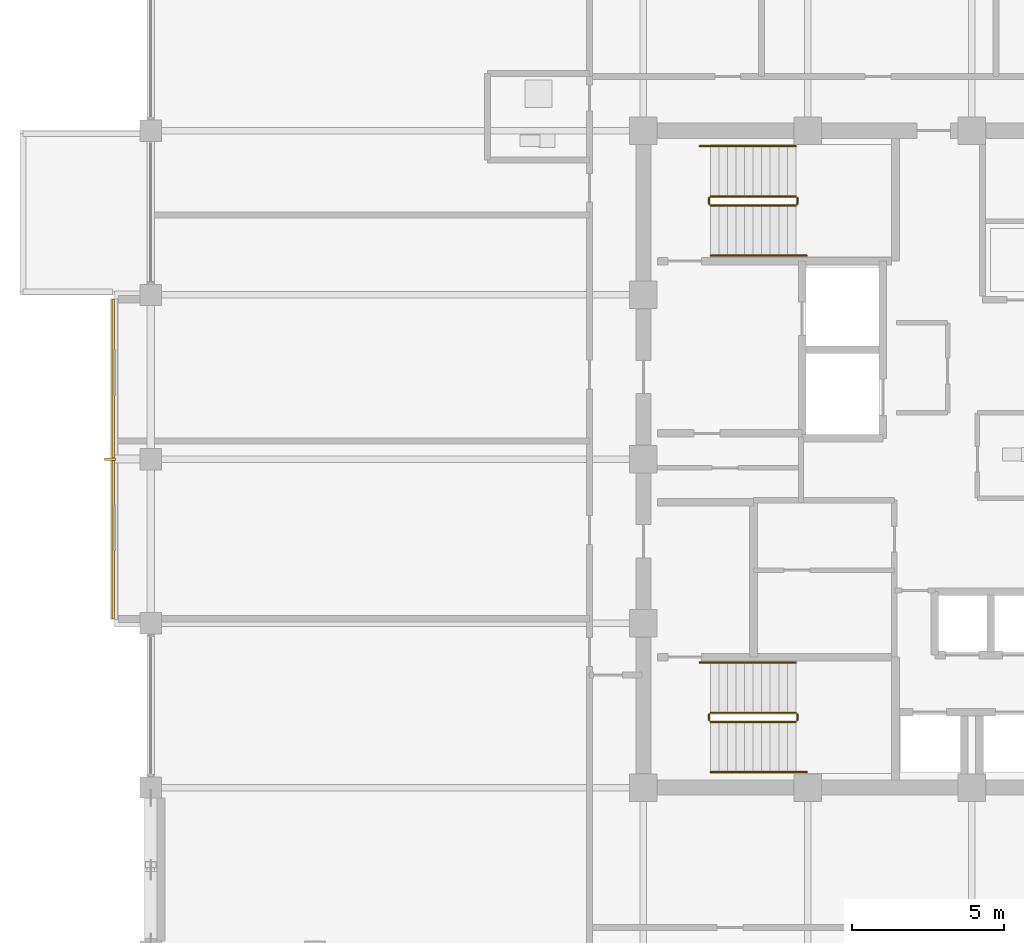
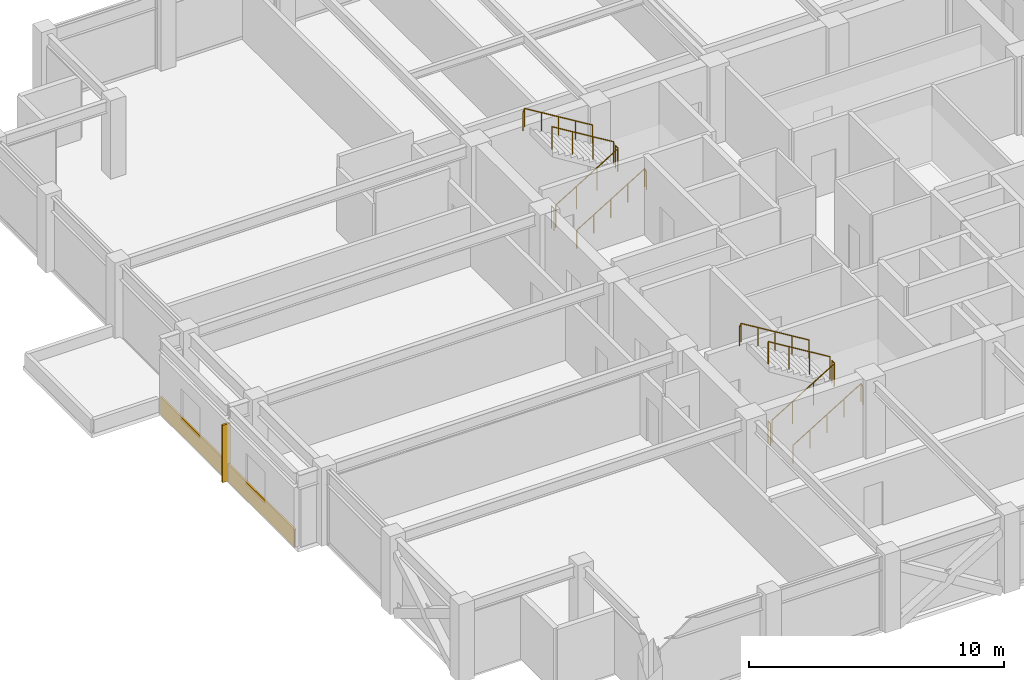
# One storey, part 29 of 31: 12 railings, 1 covering, 1 shading device.
"""IFC4 building model written with IfcOpenShell, lengths in metres."""

from ifc_helpers import new_model, si_unit, direction, frame, origin, origin_2d, place, context, subcontext, project, spatial, rectangle, circle, extrude, material, layer, layer_set, type_object, element, save


model = new_model("IFC4")

# Units and contexts
model_context = context("Model", 3, precision=1e-05, world=origin(), true_north=direction((0.0, 1.0)))
body_context = subcontext(model_context, "Body", "Model", "MODEL_VIEW")
ifc_project = project(units=[si_unit("LENGTHUNIT", "METRE"), si_unit("AREAUNIT", "SQUARE_METRE"), si_unit("VOLUMEUNIT", "CUBIC_METRE"), si_unit("PLANEANGLEUNIT", "RADIAN"), si_unit("MASSUNIT", "GRAM", prefix="KILO")], contexts=[model_context])

# Site, building, storey
site_placement = place(None, origin())
site = spatial("IfcSite", under=ifc_project, at=site_placement, CompositionType="ELEMENT")
building_placement = place(site_placement, origin())
building = spatial("IfcBuilding", under=site, at=building_placement, Name="Surkhivell Harbour Commons", CompositionType="ELEMENT")
storey_placement = place(building_placement, frame((0.0, 0.0, 270.0)))
storey = spatial("IfcBuildingStorey", under=building, at=storey_placement, Name="L70", CompositionType="ELEMENT", Elevation=270.0)

# Covering
ifc_material_1 = material(Name="Saffron-gold enamelled aluminium cassette panel", Category="aluminium")
ifc_layer = layer(ifc_material_1, 0.070068359375)
ifc_layer_set = layer_set([ifc_layer], Name="Saffron-gold enamelled aluminium cassette panel")
covering_type = type_object("IfcCoveringType", Name="COV-CLAD-SAF", PredefinedType="CLADDING", material=ifc_layer_set)
covering_placement = place(storey_placement, frame((-28.239990234375, 0.0, 0.0), z_axis=(0.0, 0.0, 1.0), x_axis=(1.0, 0.0, 0.0)))
element("IfcCovering", 1, at=covering_placement, inside=storey, type_object=covering_type, Name="L70 Coloured-Panel Box Spandrel Cassette 02", PredefinedType="CLADDING", context=body_context, shape_type="SweptSolid", body=[
    extrude(rectangle(XDim=0.080078125, YDim=10.5, at=origin_2d()), origin(), (0.0, 0.0, 1.0), 0.840087890625),
])

# Railings
ifc_material_2 = material(Name="Galvanised and painted steel S355 guard rail", Category="steel")
railing_type_1 = type_object("IfcRailingType", Name="RAL-ST-GRD1100", PredefinedType="GUARDRAIL", material=ifc_material_2)
railing_1_placement = place(storey_placement, frame((-8.590087890625, 8.340087890625, 0.17041015625)))
element("IfcRailing", 2, at=railing_1_placement, inside=storey, type_object=railing_type_1, Name="L70 ST1 stair guard 1", PredefinedType="GUARDRAIL", context=body_context, shape_type="SweptSolid", body=[
    extrude(circle(Radius=0.02392578125, at=origin_2d()), frame((0.0, 0.0, 1.076171875), z_axis=(0.854169791009, 0.0, 0.51999420009), x_axis=(0.0, 1.0, 0.0)), (0.0, 0.0, 1.0), 3.278076171875),
    extrude(circle(Radius=0.02099609375, at=origin_2d()), origin(), (0.0, 0.0, 1.0), 1.052001953125),
    extrude(circle(Radius=0.02099609375, at=origin_2d()), frame((0.933349609375, 0.0, 0.568115234375)), (0.0, 0.0, 1.0), 1.052001953125),
    extrude(circle(Radius=0.02099609375, at=origin_2d()), frame((1.86669921875, 0.0, 1.136474609375)), (0.0, 0.0, 1.0), 1.052001953125),
    extrude(circle(Radius=0.02099609375, at=origin_2d()), frame((2.800048828125, 0.0, 1.70458984375)), (0.0, 0.0, 1.0), 1.052001953125),
])
railing_2_placement = place(storey_placement, frame((-5.739990234375, 8.389892578125, 1.875)))
element("IfcRailing", 3, at=railing_2_placement, inside=storey, type_object=railing_type_1, Name="L70 ST1 stair guard 2", PredefinedType="GUARDRAIL", context=body_context, shape_type="SweptSolid", body=[
    extrude(circle(Radius=0.02392578125, at=origin_2d()), frame((0.0, 0.0, 1.076171875), z_axis=(0.0, 1.0, 0.0), x_axis=(-1.0, 0.0, 0.0)), (0.0, 0.0, 1.0), 0.2001953125),
    extrude(circle(Radius=0.02099609375, at=origin_2d()), origin(), (0.0, 0.0, 1.0), 1.052001953125),
    extrude(circle(Radius=0.02099609375, at=origin_2d()), frame((0.0, 0.2001953125, 0.0)), (0.0, 0.0, 1.0), 1.052001953125),
])
railing_3_placement = place(storey_placement, frame((-5.7900390625, 8.639892578125, 2.04541015625)))
element("IfcRailing", 4, at=railing_3_placement, inside=storey, type_object=railing_type_1, Name="L70 ST1 stair guard 3", PredefinedType="GUARDRAIL", context=body_context, shape_type="SweptSolid", body=[
    extrude(circle(Radius=0.02392578125, at=origin_2d()), frame((0.0, 0.0, 1.076171875), z_axis=(-0.854169791009, 0.0, 0.51999420009), x_axis=(0.0, -1.0, 0.0)), (0.0, 0.0, 1.0), 3.278076171875),
    extrude(circle(Radius=0.02099609375, at=origin_2d()), origin(), (0.0, 0.0, 1.0), 1.052001953125),
    extrude(circle(Radius=0.02099609375, at=origin_2d()), frame((-0.933349609375, 0.0, 0.568115234375)), (0.0, 0.0, 1.0), 1.052001953125),
    extrude(circle(Radius=0.02099609375, at=origin_2d()), frame((-1.86669921875, 0.0, 1.136474609375)), (0.0, 0.0, 1.0), 1.052001953125),
    extrude(circle(Radius=0.02099609375, at=origin_2d()), frame((-2.800048828125, 0.0, 1.70458984375)), (0.0, 0.0, 1.0), 1.052001953125),
])
railing_4_placement = place(storey_placement, frame((-8.639892578125, 8.389892578125, 0.0)))
element("IfcRailing", 5, at=railing_4_placement, inside=storey, type_object=railing_type_1, Name="L70 ST1 stair guard 4", PredefinedType="GUARDRAIL", context=body_context, shape_type="SweptSolid", body=[
    extrude(circle(Radius=0.02392578125, at=origin_2d()), frame((0.0, 0.0, 1.076171875), z_axis=(0.0, 1.0, 0.0), x_axis=(-1.0, 0.0, 0.0)), (0.0, 0.0, 1.0), 0.2001953125),
    extrude(circle(Radius=0.02099609375, at=origin_2d()), origin(), (0.0, 0.0, 1.0), 1.052001953125),
    extrude(circle(Radius=0.02099609375, at=origin_2d()), frame((0.0, 0.2001953125, 0.0)), (0.0, 0.0, 1.0), 1.052001953125),
])
railing_5_placement = place(storey_placement, frame((-8.590087890625, -8.639892578125, 0.17041015625)))
element("IfcRailing", 6, at=railing_5_placement, inside=storey, type_object=railing_type_1, Name="L70 ST3 stair guard 1", PredefinedType="GUARDRAIL", context=body_context, shape_type="SweptSolid", body=[
    extrude(circle(Radius=0.02392578125, at=origin_2d()), frame((0.0, 0.0, 1.076171875), z_axis=(0.854169791009, 0.0, 0.51999420009), x_axis=(0.0, 1.0, 0.0)), (0.0, 0.0, 1.0), 3.278076171875),
    extrude(circle(Radius=0.02099609375, at=origin_2d()), origin(), (0.0, 0.0, 1.0), 1.052001953125),
    extrude(circle(Radius=0.02099609375, at=origin_2d()), frame((0.933349609375, 0.0, 0.568115234375)), (0.0, 0.0, 1.0), 1.052001953125),
    extrude(circle(Radius=0.02099609375, at=origin_2d()), frame((1.86669921875, 0.0, 1.136474609375)), (0.0, 0.0, 1.0), 1.052001953125),
    extrude(circle(Radius=0.02099609375, at=origin_2d()), frame((2.800048828125, 0.0, 1.70458984375)), (0.0, 0.0, 1.0), 1.052001953125),
])
railing_6_placement = place(storey_placement, frame((-5.739990234375, -8.590087890625, 1.875)))
element("IfcRailing", 7, at=railing_6_placement, inside=storey, type_object=railing_type_1, Name="L70 ST3 stair guard 2", PredefinedType="GUARDRAIL", context=body_context, shape_type="SweptSolid", body=[
    extrude(circle(Radius=0.02392578125, at=origin_2d()), frame((0.0, 0.0, 1.076171875), z_axis=(0.0, 1.0, 0.0), x_axis=(-1.0, 0.0, 0.0)), (0.0, 0.0, 1.0), 0.2001953125),
    extrude(circle(Radius=0.02099609375, at=origin_2d()), origin(), (0.0, 0.0, 1.0), 1.052001953125),
    extrude(circle(Radius=0.02099609375, at=origin_2d()), frame((0.0, 0.2001953125, 0.0)), (0.0, 0.0, 1.0), 1.052001953125),
])
railing_7_placement = place(storey_placement, frame((-5.7900390625, -8.340087890625, 2.04541015625)))
element("IfcRailing", 8, at=railing_7_placement, inside=storey, type_object=railing_type_1, Name="L70 ST3 stair guard 3", PredefinedType="GUARDRAIL", context=body_context, shape_type="SweptSolid", body=[
    extrude(circle(Radius=0.02392578125, at=origin_2d()), frame((0.0, 0.0, 1.076171875), z_axis=(-0.854169791009, 0.0, 0.51999420009), x_axis=(0.0, -1.0, 0.0)), (0.0, 0.0, 1.0), 3.278076171875),
    extrude(circle(Radius=0.02099609375, at=origin_2d()), origin(), (0.0, 0.0, 1.0), 1.052001953125),
    extrude(circle(Radius=0.02099609375, at=origin_2d()), frame((-0.933349609375, 0.0, 0.568115234375)), (0.0, 0.0, 1.0), 1.052001953125),
    extrude(circle(Radius=0.02099609375, at=origin_2d()), frame((-1.86669921875, 0.0, 1.136474609375)), (0.0, 0.0, 1.0), 1.052001953125),
    extrude(circle(Radius=0.02099609375, at=origin_2d()), frame((-2.800048828125, 0.0, 1.70458984375)), (0.0, 0.0, 1.0), 1.052001953125),
])
railing_8_placement = place(storey_placement, frame((-8.639892578125, -8.590087890625, 0.0)))
element("IfcRailing", 9, at=railing_8_placement, inside=storey, type_object=railing_type_1, Name="L70 ST3 stair guard 4", PredefinedType="GUARDRAIL", context=body_context, shape_type="SweptSolid", body=[
    extrude(circle(Radius=0.02392578125, at=origin_2d()), frame((0.0, 0.0, 1.076171875), z_axis=(0.0, 1.0, 0.0), x_axis=(-1.0, 0.0, 0.0)), (0.0, 0.0, 1.0), 0.2001953125),
    extrude(circle(Radius=0.02099609375, at=origin_2d()), origin(), (0.0, 0.0, 1.0), 1.052001953125),
    extrude(circle(Radius=0.02099609375, at=origin_2d()), frame((0.0, 0.2001953125, 0.0)), (0.0, 0.0, 1.0), 1.052001953125),
])
ifc_material_3 = material(Name="Brushed stainless steel S355 handrail", Category="steel")
railing_type_2 = type_object("IfcRailingType", Name="RAL-ST-HND900", PredefinedType="HANDRAIL", material=ifc_material_3)
railing_9_placement = place(storey_placement, frame((-8.590087890625, 6.68994140625, 0.17041015625)))
element("IfcRailing", 10, at=railing_9_placement, inside=storey, type_object=railing_type_2, Name="L70 ST1 stair handrail 1", PredefinedType="HANDRAIL", context=body_context, shape_type="SweptSolid", body=[
    extrude(circle(Radius=0.02392578125, at=origin_2d()), frame((0.0, 0.0, 0.8759765625), z_axis=(0.854177636135, 0.0, 0.519981313056), x_axis=(0.0, 1.0, 0.0)), (0.0, 0.0, 1.0), 3.60595703125),
    extrude(circle(Radius=0.02392578125, at=origin_2d()), frame((3.080078125, 0.0, 2.7509765625), z_axis=(0.425297416671, 0.0, -0.905053648892), x_axis=(0.0, 1.0, 0.0)), (0.0, 0.0, 1.0), 0.188232421875),
    extrude(circle(Radius=0.02099609375, at=origin_2d()), origin(), (0.0, 0.0, 1.0), 0.851806640625),
    extrude(circle(Radius=0.02099609375, at=origin_2d()), frame((0.77001953125, 0.0, 0.46875)), (0.0, 0.0, 1.0), 0.851806640625),
    extrude(circle(Radius=0.02099609375, at=origin_2d()), frame((1.5400390625, 0.0, 0.9375)), (0.0, 0.0, 1.0), 0.851806640625),
    extrude(circle(Radius=0.02099609375, at=origin_2d()), frame((2.31005859375, 0.0, 1.40625)), (0.0, 0.0, 1.0), 0.851806640625),
    extrude(circle(Radius=0.02099609375, at=origin_2d()), frame((3.080078125, 0.0, 1.875)), (0.0, 0.0, 1.0), 0.851806640625),
    extrude(circle(Radius=0.02099609375, at=origin_2d()), frame((3.16015625, 0.0, 1.70458984375)), (0.0, 0.0, 1.0), 0.851806640625),
])
railing_10_placement = place(storey_placement, frame((-5.7900390625, 10.2900390625, 2.04541015625)))
element("IfcRailing", 11, at=railing_10_placement, inside=storey, type_object=railing_type_2, Name="L70 ST1 stair handrail 2", PredefinedType="HANDRAIL", context=body_context, shape_type="SweptSolid", body=[
    extrude(circle(Radius=0.02392578125, at=origin_2d()), frame((0.0, 0.0, 0.8759765625), z_axis=(-0.854177636135, 0.0, 0.519981313056), x_axis=(0.0, -1.0, 0.0)), (0.0, 0.0, 1.0), 3.60595703125),
    extrude(circle(Radius=0.02392578125, at=origin_2d()), frame((-3.080078125, 0.0, 2.7509765625), z_axis=(-0.424234432967, 0.0, -0.905552398199), x_axis=(0.0, -1.0, 0.0)), (0.0, 0.0, 1.0), 0.188232421875),
    extrude(circle(Radius=0.02099609375, at=origin_2d()), origin(), (0.0, 0.0, 1.0), 0.851806640625),
    extrude(circle(Radius=0.02099609375, at=origin_2d()), frame((-0.77001953125, 0.0, 0.46875)), (0.0, 0.0, 1.0), 0.851806640625),
    extrude(circle(Radius=0.02099609375, at=origin_2d()), frame((-1.5400390625, 0.0, 0.9375)), (0.0, 0.0, 1.0), 0.851806640625),
    extrude(circle(Radius=0.02099609375, at=origin_2d()), frame((-2.31005859375, 0.0, 1.40625)), (0.0, 0.0, 1.0), 0.851806640625),
    extrude(circle(Radius=0.02099609375, at=origin_2d()), frame((-3.080078125, 0.0, 1.875)), (0.0, 0.0, 1.0), 0.851806640625),
    extrude(circle(Radius=0.02099609375, at=origin_2d()), frame((-3.159912109375, 0.0, 1.70458984375)), (0.0, 0.0, 1.0), 0.851806640625),
])
railing_11_placement = place(storey_placement, frame((-8.590087890625, -10.2900390625, 0.17041015625)))
element("IfcRailing", 12, at=railing_11_placement, inside=storey, type_object=railing_type_2, Name="L70 ST3 stair handrail 1", PredefinedType="HANDRAIL", context=body_context, shape_type="SweptSolid", body=[
    extrude(circle(Radius=0.02392578125, at=origin_2d()), frame((0.0, 0.0, 0.8759765625), z_axis=(0.854177636135, 0.0, 0.519981313056), x_axis=(0.0, 1.0, 0.0)), (0.0, 0.0, 1.0), 3.60595703125),
    extrude(circle(Radius=0.02392578125, at=origin_2d()), frame((3.080078125, 0.0, 2.7509765625), z_axis=(0.425297416671, 0.0, -0.905053648892), x_axis=(0.0, 1.0, 0.0)), (0.0, 0.0, 1.0), 0.188232421875),
    extrude(circle(Radius=0.02099609375, at=origin_2d()), origin(), (0.0, 0.0, 1.0), 0.851806640625),
    extrude(circle(Radius=0.02099609375, at=origin_2d()), frame((0.77001953125, 0.0, 0.46875)), (0.0, 0.0, 1.0), 0.851806640625),
    extrude(circle(Radius=0.02099609375, at=origin_2d()), frame((1.5400390625, 0.0, 0.9375)), (0.0, 0.0, 1.0), 0.851806640625),
    extrude(circle(Radius=0.02099609375, at=origin_2d()), frame((2.31005859375, 0.0, 1.40625)), (0.0, 0.0, 1.0), 0.851806640625),
    extrude(circle(Radius=0.02099609375, at=origin_2d()), frame((3.080078125, 0.0, 1.875)), (0.0, 0.0, 1.0), 0.851806640625),
    extrude(circle(Radius=0.02099609375, at=origin_2d()), frame((3.16015625, 0.0, 1.70458984375)), (0.0, 0.0, 1.0), 0.851806640625),
])
railing_12_placement = place(storey_placement, frame((-5.7900390625, -6.68994140625, 2.04541015625)))
element("IfcRailing", 13, at=railing_12_placement, inside=storey, type_object=railing_type_2, Name="L70 ST3 stair handrail 2", PredefinedType="HANDRAIL", context=body_context, shape_type="SweptSolid", body=[
    extrude(circle(Radius=0.02392578125, at=origin_2d()), frame((0.0, 0.0, 0.8759765625), z_axis=(-0.854177636135, 0.0, 0.519981313056), x_axis=(0.0, -1.0, 0.0)), (0.0, 0.0, 1.0), 3.60595703125),
    extrude(circle(Radius=0.02392578125, at=origin_2d()), frame((-3.080078125, 0.0, 2.7509765625), z_axis=(-0.424234432967, 0.0, -0.905552398199), x_axis=(0.0, -1.0, 0.0)), (0.0, 0.0, 1.0), 0.188232421875),
    extrude(circle(Radius=0.02099609375, at=origin_2d()), origin(), (0.0, 0.0, 1.0), 0.851806640625),
    extrude(circle(Radius=0.02099609375, at=origin_2d()), frame((-0.77001953125, 0.0, 0.46875)), (0.0, 0.0, 1.0), 0.851806640625),
    extrude(circle(Radius=0.02099609375, at=origin_2d()), frame((-1.5400390625, 0.0, 0.9375)), (0.0, 0.0, 1.0), 0.851806640625),
    extrude(circle(Radius=0.02099609375, at=origin_2d()), frame((-2.31005859375, 0.0, 1.40625)), (0.0, 0.0, 1.0), 0.851806640625),
    extrude(circle(Radius=0.02099609375, at=origin_2d()), frame((-3.080078125, 0.0, 1.875)), (0.0, 0.0, 1.0), 0.851806640625),
    extrude(circle(Radius=0.02099609375, at=origin_2d()), frame((-3.159912109375, 0.0, 1.70458984375)), (0.0, 0.0, 1.0), 0.851806640625),
])

# Shading device
ifc_material_4 = material(Name="Anodised pale-metal aluminium solar fin", Category="aluminium")
shading_device_type = type_object("IfcShadingDeviceType", Name="SHD-FIN-VERT", PredefinedType="USERDEFINED", material=ifc_material_4)
shading_device_placement = place(storey_placement, frame((-28.340087890625, 0.0, 0.0048828125), z_axis=(0.0, 0.0, 1.0), x_axis=(1.0, 0.0, 0.0)))
element("IfcShadingDevice", 14, at=shading_device_placement, inside=storey, type_object=shading_device_type, Name="L70 Coloured-Box Solar Fin 02", ObjectType="FIN", PredefinedType="USERDEFINED", context=body_context, shape_type="SweptSolid", body=[
    extrude(rectangle(XDim=0.360107421875, YDim=0.090087890625, at=origin_2d()), origin(), (0.0, 0.0, 1.0), 2.75),
])

save(model, "model.ifc")
